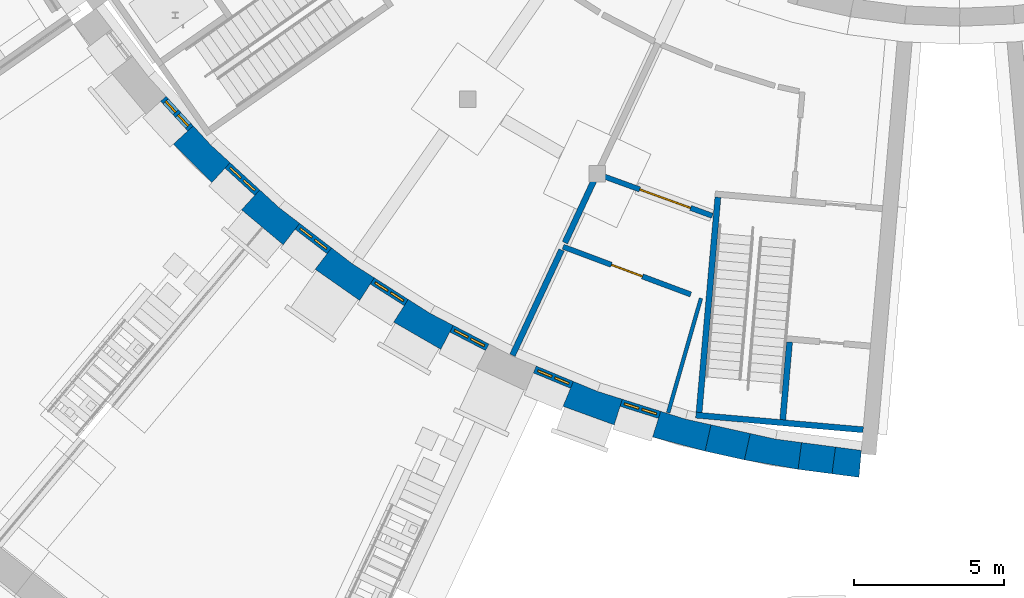
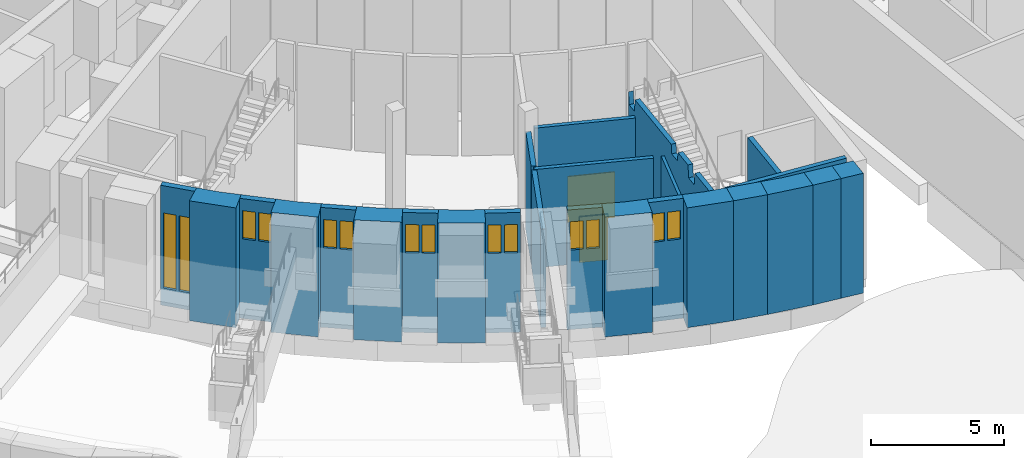
# One storey, part 36 of 65: 25 walls, 14 windows, 2 doors, 16 openings.
"""IFC4 building model written with IfcOpenShell, lengths in metres."""

from ifc_helpers import new_model, si_unit, direction, frame, frame_2d, origin, place, context, subcontext, project, spatial, polyline, rectangle, outline, extrude, material, layer, layer_set, type_object, element, fill, save


model = new_model("IFC4")

# Units and contexts
model_context = context("Model", 3, precision=1e-05, world=origin(), true_north=direction((0.0, 1.0)))
body_context = subcontext(model_context, "Body", "Model", "MODEL_VIEW")
ifc_project = project(units=[si_unit("LENGTHUNIT", "METRE"), si_unit("AREAUNIT", "SQUARE_METRE"), si_unit("VOLUMEUNIT", "CUBIC_METRE"), si_unit("PLANEANGLEUNIT", "RADIAN"), si_unit("MASSUNIT", "GRAM", prefix="KILO")], contexts=[model_context])

# Site, building, storey
site_placement = place(None, origin())
site = spatial("IfcSite", under=ifc_project, at=site_placement, CompositionType="ELEMENT")
building_placement = place(site_placement, origin())
building = spatial("IfcBuilding", under=site, at=building_placement, Name="Volute Hill Aquarium", CompositionType="ELEMENT")
storey_placement = place(building_placement, frame((0.0, 0.0, -5.5)))
storey = spatial("IfcBuildingStorey", under=building, at=storey_placement, Name="L00", CompositionType="ELEMENT", Elevation=-5.5)

# Walls
ifc_material_1 = material(Name="Concrete C30/37", Category="concrete")
ifc_layer_1 = layer(ifc_material_1, 0.199951171875)
ifc_layer_set_1 = layer_set([ifc_layer_1], Name="Core wall 200 REI 60")
wall_type_1 = type_object("IfcWallType", Name="Core wall 200 REI 60", PredefinedType="SHEAR", material=ifc_layer_set_1)
wall_1_placement = place(storey_placement, frame((-8.0576171875, -26.69921875, 0.0), z_axis=(0.0, 0.0, 1.0), x_axis=(-0.087178307383, -0.996192723684, 0.0)))
element("IfcWall", 1, at=wall_1_placement, inside=storey, type_object=wall_type_1, Name="wc/S2-B/L00/side", PredefinedType="SHEAR", context=body_context, shape_type="SweptSolid", body=[
    extrude(outline(polyline([(0.0, 0.0), (7.199951171875, 0.0), (7.199951171875, 5.25), (5.893310546875, 5.25), (5.84326171875, 4.68994140625), (5.34326171875, 4.68994140625), (5.293212890625, 5.25), (4.397216796875, 5.25), (4.34716796875, 4.840087890625), (3.84716796875, 4.840087890625), (3.797119140625, 5.25), (0.577392578125, 5.25), (0.52734375, 4.68994140625), (0.050048828125, 4.68994140625), (0.0, 5.25), (0.0, 0.0)])), frame((0.0, 0.10009765625, 0.0), z_axis=(0.0, -1.0, 0.0), x_axis=(1.0, 0.0, 0.0)), (0.0, 0.0, 1.0), 0.199951171875),
])
wall_2_placement = place(storey_placement, frame((-3.21484375, -34.450927734375, 0.0), z_axis=(0.0, 0.0, 1.0), x_axis=(-0.996195137027, 0.087150725554, 0.0)))
element("IfcWall", 2, at=wall_2_placement, inside=storey, type_object=wall_type_1, Name="wc/S2-B/L00/out", PredefinedType="SHEAR", context=body_context, shape_type="SweptSolid", body=[
    extrude(outline(polyline([(0.0, 0.0), (5.599853515625, 0.0), (5.60009765625, 5.25), (5.564697265625, 5.25), (5.5146484375, 4.739990234375), (5.0146484375, 4.739990234375), (4.964599609375, 5.25), (0.0, 5.25), (0.0, 0.0)])), frame((0.0, 0.10009765625, 0.0), z_axis=(0.0, -1.0, 0.0), x_axis=(1.0, 0.0, 0.0)), (0.0, 0.0, 1.0), 0.199951171875),
])

# Wall, opening, door
ifc_material_2 = material(Name="Gypsum board on steel studs", Category="steel")
ifc_layer_2 = layer(ifc_material_2, 0.175048828125)
ifc_layer_set_2 = layer_set([ifc_layer_2], Name="Corridor partition 175 EI 60")
wall_type_2 = type_object("IfcWallType", Name="Corridor partition 175 EI 60", PredefinedType="PARTITIONING", material=ifc_layer_set_2)
wall_3_placement = place(storey_placement, frame((-13.219482421875, -28.349365234375, 0.0), z_axis=(0.0, 0.0, 1.0), x_axis=(0.936679715981, -0.35018724944, 0.0)))
wall_3 = element("IfcWall", 3, at=wall_3_placement, inside=storey, type_object=wall_type_2, Name="pw/S2/L00/002", PredefinedType="PARTITIONING", context=body_context, shape_type="SweptSolid", body=[
    extrude(rectangle(XDim=4.544921875, YDim=0.175048828125, at=frame_2d((2.2724609375, 0.0))), origin(), (0.0, 0.0, 1.0), 4.52001953125),
])
opening_1_placement = place(wall_3_placement, frame((1.722412109375, 0.0, 0.0)))
opening_1 = element("IfcOpeningElement", 4, at=opening_1_placement, cuts=wall_3, Name="Opening D2.00.04", PredefinedType="OPENING", context=body_context, shape_type="SweptSolid", body=[
    extrude(rectangle(XDim=1.10009765625, YDim=2.10009765625, at=frame_2d((0.550048828125, 1.050048828125))), frame((0.0, 0.097412109375, 0.0), z_axis=(0.0, -1.0, 0.0), x_axis=(1.0, 0.0, 0.0)), (0.0, 0.0, 1.0), 0.195068359375),
])
ifc_material_3 = material(Name="Timber, fire-rated", Category="wood")
door_type_1 = type_object("IfcDoorType", Name="Door 1100 x 2100 accessible WC EI1 30", OperationType="SINGLE_SWING_LEFT", PredefinedType="DOOR", material=ifc_material_3)
door_1_placement = place(opening_1_placement, origin())
door_1 = element("IfcDoor", 5, at=door_1_placement, inside=storey, type_object=door_type_1, Name="d/S2/L00/04", OperationType="SINGLE_SWING_RIGHT", OverallHeight=2.10009765625, OverallWidth=1.10009765625, PredefinedType="DOOR", context=body_context, shape_type="SweptSolid", body=[
    extrude(rectangle(XDim=1.10009765625, YDim=2.10009765625, at=frame_2d((0.550048828125, 1.050048828125))), frame((0.0, 0.02490234375, 0.0), z_axis=(0.0, -1.0, 0.0), x_axis=(1.0, 0.0, 0.0)), (0.0, 0.0, 1.0), 0.050048828125),
])
fill(opening_1, door_1)

wall_4_placement = place(storey_placement, frame((-8.242431640625, -27.319580078125, 0.0), z_axis=(0.0, 0.0, 1.0), x_axis=(-0.939702700152, 0.341992449226, 0.0)))
wall_4 = element("IfcWall", 6, at=wall_4_placement, inside=storey, type_object=wall_type_2, Name="pw/S2/L00/005", PredefinedType="PARTITIONING", context=body_context, shape_type="SweptSolid", body=[
    extrude(rectangle(XDim=3.851318359375, YDim=0.175048828125, at=frame_2d((1.92578125, 0.0))), origin(), (0.0, 0.0, 1.0), 4.52001953125),
])
opening_2_placement = place(wall_4_placement, frame((0.77587890625, 0.0, 0.0)))
opening_2 = element("IfcOpeningElement", 7, at=opening_2_placement, cuts=wall_4, Name="Opening D2.00.03", PredefinedType="OPENING", context=body_context, shape_type="SweptSolid", body=[
    extrude(rectangle(XDim=1.800048828125, YDim=2.10009765625, at=frame_2d((0.89990234375, 1.050048828125))), frame((0.0, 0.097412109375, 0.0), z_axis=(0.0, -1.0, 0.0), x_axis=(1.0, 0.0, 0.0)), (0.0, 0.0, 1.0), 0.195068359375),
])
ifc_material_4 = material(Name="Timber, fire-rated", Category="wood")
door_type_2 = type_object("IfcDoorType", Name="Door 1800 x 2100 corridor double EI1 30", OperationType="DOUBLE_DOOR_SINGLE_SWING", PredefinedType="DOOR", material=ifc_material_4)
door_2_placement = place(opening_2_placement, origin())
door_2 = element("IfcDoor", 8, at=door_2_placement, inside=storey, type_object=door_type_2, Name="d/S2/L00/03", OperationType="SINGLE_SWING_LEFT", OverallHeight=2.10009765625, OverallWidth=1.800048828125, PredefinedType="DOOR", context=body_context, shape_type="SweptSolid", body=[
    extrude(rectangle(XDim=1.800048828125, YDim=2.10009765625, at=frame_2d((0.89990234375, 1.050048828125))), frame((0.0, 0.02490234375, 0.0), z_axis=(0.0, -1.0, 0.0), x_axis=(1.0, 0.0, 0.0)), (0.0, 0.0, 1.0), 0.050048828125),
])
fill(opening_2, door_2)

# Walls
ifc_material_5 = material(Name="Masonry blockwork", Category="masonry")
ifc_layer_3 = layer(ifc_material_5, 0.199951171875)
ifc_layer_set_3 = layer_set([ifc_layer_3], Name="Fire partition 200 EI 60")
wall_type_3 = type_object("IfcWallType", Name="Fire partition 200 EI 60", PredefinedType="PARTITIONING", material=ifc_layer_set_3)
wall_5_placement = place(storey_placement, frame((-13.26904296875, -28.455810546875, 0.0), z_axis=(0.0, 0.0, 1.0), x_axis=(-0.422636960722, -0.906299067324, 0.0)))
element("IfcWall", 9, at=wall_5_placement, inside=storey, type_object=wall_type_3, Name="pw/S2/L00/003", PredefinedType="PARTITIONING", context=body_context, shape_type="SweptSolid", body=[
    extrude(rectangle(XDim=3.87255859375, YDim=0.199951171875, at=frame_2d((1.936279296875, 0.0))), origin(), (0.0, 0.0, 1.0), 4.52001953125),
])
wall_6_placement = place(storey_placement, frame((-13.156005859375, -28.21337890625, 0.0), z_axis=(0.0, 0.0, 1.0), x_axis=(0.422570302479, 0.906330149263, 0.0)))
element("IfcWall", 10, at=wall_6_placement, inside=storey, type_object=wall_type_3, Name="pw/S2/L00/008", PredefinedType="PARTITIONING", context=body_context, shape_type="SweptSolid", body=[
    extrude(rectangle(XDim=2.290283203125, YDim=0.199951171875, at=frame_2d((1.14501953125, 0.0))), origin(), (0.0, 0.0, 1.0), 4.52001953125),
])

# Wall, openings, windows
ifc_material_6 = material(Name="Concrete C30/37", Category="concrete")
ifc_layer_4 = layer(ifc_material_6, 0.25)
ifc_layer_set_4 = layer_set([ifc_layer_4], Name="Niche back wall full height 250")
wall_type_4 = type_object("IfcWallType", Name="Niche back wall full height 250", PredefinedType="NOTDEFINED", material=ifc_layer_set_4)
wall_7_placement = place(storey_placement, frame((-25.639892578125, -24.404296875, 0.0), z_axis=(0.0, 0.0, 1.0), x_axis=(-0.675576229389, 0.737290145251, 0.0)))
wall_7 = element("IfcWall", 11, at=wall_7_placement, inside=storey, type_object=wall_type_4, Name="Niche back wall OWN S2 L00 2", PredefinedType="NOTDEFINED", context=body_context, shape_type="SweptSolid", body=[
    extrude(rectangle(XDim=1.341064453125, YDim=0.25, at=frame_2d((0.67041015625, 0.0))), origin(), (0.0, 0.0, 1.0), 5.5),
])
opening_3_placement = place(wall_7_placement, frame((0.72900390625, 0.0, 0.800048828125)))
opening_3 = element("IfcOpeningElement", 12, at=opening_3_placement, cuts=wall_7, Name="Opening W3", PredefinedType="OPENING", context=body_context, shape_type="SweptSolid", body=[
    extrude(rectangle(XDim=0.5, YDim=3.449951171875, at=frame_2d((0.25, 1.72509765625))), frame((0.0, 0.135009765625, 0.0), z_axis=(0.0, -1.0, 0.0), x_axis=(1.0, 0.0, 0.0)), (0.0, 0.0, 1.0), 0.27001953125),
])
opening_4_placement = place(wall_7_placement, frame((0.112060546875, 0.0, 0.800048828125)))
opening_4 = element("IfcOpeningElement", 13, at=opening_4_placement, cuts=wall_7, Name="Opening W3", PredefinedType="OPENING", context=body_context, shape_type="SweptSolid", body=[
    extrude(rectangle(XDim=0.5, YDim=3.449951171875, at=frame_2d((0.25, 1.72509765625))), frame((0.0, 0.135009765625, 0.0), z_axis=(0.0, -1.0, 0.0), x_axis=(1.0, 0.0, 0.0)), (0.0, 0.0, 1.0), 0.27001953125),
])
ifc_material_7 = material(Name="Aluminium and glass", Category="aluminium")
window_type_1 = type_object("IfcWindowType", Name="Slit window 500x3450", PartitioningType="SINGLE_PANEL", PredefinedType="WINDOW", material=ifc_material_7)
window_1_placement = place(opening_3_placement, origin())
window_1 = element("IfcWindow", 14, at=window_1_placement, inside=storey, type_object=window_type_1, Name="Slit window S2 L00 2.1.1", OverallHeight=3.449951171875, OverallWidth=0.5, PartitioningType="SINGLE_PANEL", PredefinedType="WINDOW", context=body_context, shape_type="SweptSolid", body=[
    extrude(rectangle(XDim=0.5, YDim=3.449951171875, at=frame_2d((0.25, 1.72509765625))), frame((0.0, 0.030029296875, 0.0), z_axis=(0.0, -1.0, 0.0), x_axis=(1.0, 0.0, 0.0)), (0.0, 0.0, 1.0), 0.06005859375),
])
fill(opening_3, window_1)
window_2_placement = place(opening_4_placement, origin())
window_2 = element("IfcWindow", 15, at=window_2_placement, inside=storey, type_object=window_type_1, Name="Slit window S2 L00 2.1.2", OverallHeight=3.449951171875, OverallWidth=0.5, PartitioningType="SINGLE_PANEL", PredefinedType="WINDOW", context=body_context, shape_type="SweptSolid", body=[
    extrude(rectangle(XDim=0.5, YDim=3.449951171875, at=frame_2d((0.25, 1.72509765625))), frame((0.0, 0.030029296875, 0.0), z_axis=(0.0, -1.0, 0.0), x_axis=(1.0, 0.0, 0.0)), (0.0, 0.0, 1.0), 0.06005859375),
])
fill(opening_4, window_2)

wall_8_placement = place(storey_placement, frame((-23.41552734375, -26.5458984375, 0.0), z_axis=(0.0, 0.0, 1.0), x_axis=(-0.737290145251, 0.675576229389, 0.0)))
wall_8 = element("IfcWall", 16, at=wall_8_placement, inside=storey, type_object=wall_type_4, Name="Niche back wall OWN S2 L00 3", PredefinedType="NOTDEFINED", context=body_context, shape_type="SweptSolid", body=[
    extrude(rectangle(XDim=1.341064453125, YDim=0.25, at=frame_2d((0.67041015625, 0.0))), origin(), (0.0, 0.0, 1.0), 5.5),
])
opening_5_placement = place(wall_8_placement, frame((0.72900390625, 0.0, 3.64990234375)))
opening_5 = element("IfcOpeningElement", 17, at=opening_5_placement, cuts=wall_8, Name="Opening W4", PredefinedType="OPENING", context=body_context, shape_type="SweptSolid", body=[
    extrude(rectangle(XDim=0.5, YDim=1.300048828125, at=frame_2d((0.25, 0.64990234375))), frame((0.0, 0.135009765625, 0.0), z_axis=(0.0, -1.0, 0.0), x_axis=(1.0, 0.0, 0.0)), (0.0, 0.0, 1.0), 0.27001953125),
])
opening_6_placement = place(wall_8_placement, frame((0.112060546875, 0.0, 3.64990234375)))
opening_6 = element("IfcOpeningElement", 18, at=opening_6_placement, cuts=wall_8, Name="Opening W4", PredefinedType="OPENING", context=body_context, shape_type="SweptSolid", body=[
    extrude(rectangle(XDim=0.5, YDim=1.300048828125, at=frame_2d((0.25, 0.64990234375))), frame((0.0, 0.135009765625, 0.0), z_axis=(0.0, -1.0, 0.0), x_axis=(1.0, 0.0, 0.0)), (0.0, 0.0, 1.0), 0.27001953125),
])
ifc_material_8 = material(Name="Aluminium and glass", Category="aluminium")
window_type_2 = type_object("IfcWindowType", Name="Slit window 500x1300", PartitioningType="SINGLE_PANEL", PredefinedType="WINDOW", material=ifc_material_8)
window_3_placement = place(opening_5_placement, origin())
window_3 = element("IfcWindow", 19, at=window_3_placement, inside=storey, type_object=window_type_2, Name="Slit window S2 L00 3.1.1", OverallHeight=1.300048828125, OverallWidth=0.5, PartitioningType="SINGLE_PANEL", PredefinedType="WINDOW", context=body_context, shape_type="SweptSolid", body=[
    extrude(rectangle(XDim=0.5, YDim=1.300048828125, at=frame_2d((0.25, 0.64990234375))), frame((0.0, 0.030029296875, 0.0), z_axis=(0.0, -1.0, 0.0), x_axis=(1.0, 0.0, 0.0)), (0.0, 0.0, 1.0), 0.06005859375),
])
fill(opening_5, window_3)
window_4_placement = place(opening_6_placement, origin())
window_4 = element("IfcWindow", 20, at=window_4_placement, inside=storey, type_object=window_type_2, Name="Slit window S2 L00 3.1.2", OverallHeight=1.300048828125, OverallWidth=0.5, PartitioningType="SINGLE_PANEL", PredefinedType="WINDOW", context=body_context, shape_type="SweptSolid", body=[
    extrude(rectangle(XDim=0.5, YDim=1.300048828125, at=frame_2d((0.25, 0.64990234375))), frame((0.0, 0.030029296875, 0.0), z_axis=(0.0, -1.0, 0.0), x_axis=(1.0, 0.0, 0.0)), (0.0, 0.0, 1.0), 0.06005859375),
])
fill(opening_6, window_4)

wall_9_placement = place(storey_placement, frame((-21.0126953125, -28.48583984375, 0.0), z_axis=(0.0, 0.0, 1.0), x_axis=(-0.793354308621, 0.608760167055, 0.0)))
wall_9 = element("IfcWall", 21, at=wall_9_placement, inside=storey, type_object=wall_type_4, Name="Niche back wall OWN S2 L00 4", PredefinedType="NOTDEFINED", context=body_context, shape_type="SweptSolid", body=[
    extrude(rectangle(XDim=1.341064453125, YDim=0.25, at=frame_2d((0.67041015625, 0.0))), origin(), (0.0, 0.0, 1.0), 5.5),
])
opening_7_placement = place(wall_9_placement, frame((0.72900390625, 0.0, 3.64990234375)))
opening_7 = element("IfcOpeningElement", 22, at=opening_7_placement, cuts=wall_9, Name="Opening W4", PredefinedType="OPENING", context=body_context, shape_type="SweptSolid", body=[
    extrude(rectangle(XDim=0.5, YDim=1.300048828125, at=frame_2d((0.25, 0.64990234375))), frame((0.0, 0.135009765625, 0.0), z_axis=(0.0, -1.0, 0.0), x_axis=(1.0, 0.0, 0.0)), (0.0, 0.0, 1.0), 0.27001953125),
])
opening_8_placement = place(wall_9_placement, frame((0.112060546875, 0.0, 3.64990234375)))
opening_8 = element("IfcOpeningElement", 23, at=opening_8_placement, cuts=wall_9, Name="Opening W4", PredefinedType="OPENING", context=body_context, shape_type="SweptSolid", body=[
    extrude(rectangle(XDim=0.5, YDim=1.300048828125, at=frame_2d((0.25, 0.64990234375))), frame((0.0, 0.135009765625, 0.0), z_axis=(0.0, -1.0, 0.0), x_axis=(1.0, 0.0, 0.0)), (0.0, 0.0, 1.0), 0.27001953125),
])
window_5_placement = place(opening_7_placement, origin())
window_5 = element("IfcWindow", 24, at=window_5_placement, inside=storey, type_object=window_type_2, Name="Slit window S2 L00 4.1.1", OverallHeight=1.300048828125, OverallWidth=0.5, PartitioningType="SINGLE_PANEL", PredefinedType="WINDOW", context=body_context, shape_type="SweptSolid", body=[
    extrude(rectangle(XDim=0.5, YDim=1.300048828125, at=frame_2d((0.25, 0.64990234375))), frame((0.0, 0.030029296875, 0.0), z_axis=(0.0, -1.0, 0.0), x_axis=(1.0, 0.0, 0.0)), (0.0, 0.0, 1.0), 0.06005859375),
])
fill(opening_7, window_5)
window_6_placement = place(opening_8_placement, origin())
window_6 = element("IfcWindow", 25, at=window_6_placement, inside=storey, type_object=window_type_2, Name="Slit window S2 L00 4.1.2", OverallHeight=1.300048828125, OverallWidth=0.5, PartitioningType="SINGLE_PANEL", PredefinedType="WINDOW", context=body_context, shape_type="SweptSolid", body=[
    extrude(rectangle(XDim=0.5, YDim=1.300048828125, at=frame_2d((0.25, 0.64990234375))), frame((0.0, 0.030029296875, 0.0), z_axis=(0.0, -1.0, 0.0), x_axis=(1.0, 0.0, 0.0)), (0.0, 0.0, 1.0), 0.06005859375),
])
fill(opening_8, window_6)

wall_10_placement = place(storey_placement, frame((-18.449951171875, -30.208740234375, 0.0), z_axis=(0.0, 0.0, 1.0), x_axis=(-0.843436528723, 0.5372288358, 0.0)))
wall_10 = element("IfcWall", 26, at=wall_10_placement, inside=storey, type_object=wall_type_4, Name="Niche back wall OWN S2 L00 5", PredefinedType="NOTDEFINED", context=body_context, shape_type="SweptSolid", body=[
    extrude(rectangle(XDim=1.341064453125, YDim=0.25, at=frame_2d((0.67041015625, 0.0))), origin(), (0.0, 0.0, 1.0), 5.5),
])
opening_9_placement = place(wall_10_placement, frame((0.72900390625, 0.0, 3.64990234375)))
opening_9 = element("IfcOpeningElement", 27, at=opening_9_placement, cuts=wall_10, Name="Opening W4", PredefinedType="OPENING", context=body_context, shape_type="SweptSolid", body=[
    extrude(rectangle(XDim=0.5, YDim=1.300048828125, at=frame_2d((0.25, 0.64990234375))), frame((0.0, 0.135009765625, 0.0), z_axis=(0.0, -1.0, 0.0), x_axis=(1.0, 0.0, 0.0)), (0.0, 0.0, 1.0), 0.27001953125),
])
opening_10_placement = place(wall_10_placement, frame((0.112060546875, 0.0, 3.64990234375)))
opening_10 = element("IfcOpeningElement", 28, at=opening_10_placement, cuts=wall_10, Name="Opening W4", PredefinedType="OPENING", context=body_context, shape_type="SweptSolid", body=[
    extrude(rectangle(XDim=0.5, YDim=1.300048828125, at=frame_2d((0.25, 0.64990234375))), frame((0.0, 0.135009765625, 0.0), z_axis=(0.0, -1.0, 0.0), x_axis=(1.0, 0.0, 0.0)), (0.0, 0.0, 1.0), 0.27001953125),
])
window_7_placement = place(opening_9_placement, origin())
window_7 = element("IfcWindow", 29, at=window_7_placement, inside=storey, type_object=window_type_2, Name="Slit window S2 L00 5.1.1", OverallHeight=1.300048828125, OverallWidth=0.5, PartitioningType="SINGLE_PANEL", PredefinedType="WINDOW", context=body_context, shape_type="SweptSolid", body=[
    extrude(rectangle(XDim=0.5, YDim=1.300048828125, at=frame_2d((0.25, 0.64990234375))), frame((0.0, 0.030029296875, 0.0), z_axis=(0.0, -1.0, 0.0), x_axis=(1.0, 0.0, 0.0)), (0.0, 0.0, 1.0), 0.06005859375),
])
fill(opening_9, window_7)
window_8_placement = place(opening_10_placement, origin())
window_8 = element("IfcWindow", 30, at=window_8_placement, inside=storey, type_object=window_type_2, Name="Slit window S2 L00 5.1.2", OverallHeight=1.300048828125, OverallWidth=0.5, PartitioningType="SINGLE_PANEL", PredefinedType="WINDOW", context=body_context, shape_type="SweptSolid", body=[
    extrude(rectangle(XDim=0.5, YDim=1.300048828125, at=frame_2d((0.25, 0.64990234375))), frame((0.0, 0.030029296875, 0.0), z_axis=(0.0, -1.0, 0.0), x_axis=(1.0, 0.0, 0.0)), (0.0, 0.0, 1.0), 0.06005859375),
])
fill(opening_10, window_8)

wall_11_placement = place(storey_placement, frame((-15.7470703125, -31.701904296875, 0.0), z_axis=(0.0, 0.0, 1.0), x_axis=(-0.886951374027, 0.461862815252, 0.0)))
wall_11 = element("IfcWall", 31, at=wall_11_placement, inside=storey, type_object=wall_type_4, Name="Niche back wall OWN S2 L00 6", PredefinedType="NOTDEFINED", context=body_context, shape_type="SweptSolid", body=[
    extrude(rectangle(XDim=1.341064453125, YDim=0.25, at=frame_2d((0.67041015625, 0.0))), origin(), (0.0, 0.0, 1.0), 5.5),
])
opening_11_placement = place(wall_11_placement, frame((0.72900390625, 0.0, 3.64990234375)))
opening_11 = element("IfcOpeningElement", 32, at=opening_11_placement, cuts=wall_11, Name="Opening W4", PredefinedType="OPENING", context=body_context, shape_type="SweptSolid", body=[
    extrude(rectangle(XDim=0.5, YDim=1.300048828125, at=frame_2d((0.25, 0.64990234375))), frame((0.0, 0.135009765625, 0.0), z_axis=(0.0, -1.0, 0.0), x_axis=(1.0, 0.0, 0.0)), (0.0, 0.0, 1.0), 0.27001953125),
])
opening_12_placement = place(wall_11_placement, frame((0.112060546875, 0.0, 3.64990234375)))
opening_12 = element("IfcOpeningElement", 33, at=opening_12_placement, cuts=wall_11, Name="Opening W4", PredefinedType="OPENING", context=body_context, shape_type="SweptSolid", body=[
    extrude(rectangle(XDim=0.5, YDim=1.300048828125, at=frame_2d((0.25, 0.64990234375))), frame((0.0, 0.135009765625, 0.0), z_axis=(0.0, -1.0, 0.0), x_axis=(1.0, 0.0, 0.0)), (0.0, 0.0, 1.0), 0.27001953125),
])
window_9_placement = place(opening_11_placement, origin())
window_9 = element("IfcWindow", 34, at=window_9_placement, inside=storey, type_object=window_type_2, Name="Slit window S2 L00 6.1.1", OverallHeight=1.300048828125, OverallWidth=0.5, PartitioningType="SINGLE_PANEL", PredefinedType="WINDOW", context=body_context, shape_type="SweptSolid", body=[
    extrude(rectangle(XDim=0.5, YDim=1.300048828125, at=frame_2d((0.25, 0.64990234375))), frame((0.0, 0.030029296875, 0.0), z_axis=(0.0, -1.0, 0.0), x_axis=(1.0, 0.0, 0.0)), (0.0, 0.0, 1.0), 0.06005859375),
])
fill(opening_11, window_9)
window_10_placement = place(opening_12_placement, origin())
window_10 = element("IfcWindow", 35, at=window_10_placement, inside=storey, type_object=window_type_2, Name="Slit window S2 L00 6.1.2", OverallHeight=1.300048828125, OverallWidth=0.5, PartitioningType="SINGLE_PANEL", PredefinedType="WINDOW", context=body_context, shape_type="SweptSolid", body=[
    extrude(rectangle(XDim=0.5, YDim=1.300048828125, at=frame_2d((0.25, 0.64990234375))), frame((0.0, 0.030029296875, 0.0), z_axis=(0.0, -1.0, 0.0), x_axis=(1.0, 0.0, 0.0)), (0.0, 0.0, 1.0), 0.06005859375),
])
fill(opening_12, window_10)

wall_12_placement = place(storey_placement, frame((-12.924072265625, -32.95361328125, 0.0), z_axis=(0.0, 0.0, 1.0), x_axis=(-0.923888145957, 0.382662637005, 0.0)))
wall_12 = element("IfcWall", 36, at=wall_12_placement, inside=storey, type_object=wall_type_4, Name="Niche back wall OWN S2 L00 7", PredefinedType="NOTDEFINED", context=body_context, shape_type="SweptSolid", body=[
    extrude(rectangle(XDim=1.341064453125, YDim=0.25, at=frame_2d((0.67041015625, 0.0))), origin(), (0.0, 0.0, 1.0), 5.5),
])
opening_13_placement = place(wall_12_placement, frame((0.72900390625, 0.0, 3.64990234375)))
opening_13 = element("IfcOpeningElement", 37, at=opening_13_placement, cuts=wall_12, Name="Opening W4", PredefinedType="OPENING", context=body_context, shape_type="SweptSolid", body=[
    extrude(rectangle(XDim=0.5, YDim=1.300048828125, at=frame_2d((0.25, 0.64990234375))), frame((0.0, 0.135009765625, 0.0), z_axis=(0.0, -1.0, 0.0), x_axis=(1.0, 0.0, 0.0)), (0.0, 0.0, 1.0), 0.27001953125),
])
opening_14_placement = place(wall_12_placement, frame((0.112060546875, 0.0, 3.64990234375)))
opening_14 = element("IfcOpeningElement", 38, at=opening_14_placement, cuts=wall_12, Name="Opening W4", PredefinedType="OPENING", context=body_context, shape_type="SweptSolid", body=[
    extrude(rectangle(XDim=0.5, YDim=1.300048828125, at=frame_2d((0.25, 0.64990234375))), frame((0.0, 0.135009765625, 0.0), z_axis=(0.0, -1.0, 0.0), x_axis=(1.0, 0.0, 0.0)), (0.0, 0.0, 1.0), 0.27001953125),
])
window_11_placement = place(opening_13_placement, origin())
window_11 = element("IfcWindow", 39, at=window_11_placement, inside=storey, type_object=window_type_2, Name="Slit window S2 L00 7.1.1", OverallHeight=1.300048828125, OverallWidth=0.5, PartitioningType="SINGLE_PANEL", PredefinedType="WINDOW", context=body_context, shape_type="SweptSolid", body=[
    extrude(rectangle(XDim=0.5, YDim=1.300048828125, at=frame_2d((0.25, 0.64990234375))), frame((0.0, 0.030029296875, 0.0), z_axis=(0.0, -1.0, 0.0), x_axis=(1.0, 0.0, 0.0)), (0.0, 0.0, 1.0), 0.06005859375),
])
fill(opening_13, window_11)
window_12_placement = place(opening_14_placement, origin())
window_12 = element("IfcWindow", 40, at=window_12_placement, inside=storey, type_object=window_type_2, Name="Slit window S2 L00 7.1.2", OverallHeight=1.300048828125, OverallWidth=0.5, PartitioningType="SINGLE_PANEL", PredefinedType="WINDOW", context=body_context, shape_type="SweptSolid", body=[
    extrude(rectangle(XDim=0.5, YDim=1.300048828125, at=frame_2d((0.25, 0.64990234375))), frame((0.0, 0.030029296875, 0.0), z_axis=(0.0, -1.0, 0.0), x_axis=(1.0, 0.0, 0.0)), (0.0, 0.0, 1.0), 0.06005859375),
])
fill(opening_14, window_12)

wall_13_placement = place(storey_placement, frame((-10.002685546875, -33.95458984375, 0.0), z_axis=(0.0, 0.0, 1.0), x_axis=(-0.953709137905, 0.300730577556, 0.0)))
wall_13 = element("IfcWall", 41, at=wall_13_placement, inside=storey, type_object=wall_type_4, Name="Niche back wall OWN S2 L00 8", PredefinedType="NOTDEFINED", context=body_context, shape_type="SweptSolid", body=[
    extrude(rectangle(XDim=1.341064453125, YDim=0.25, at=frame_2d((0.67041015625, 0.0))), origin(), (0.0, 0.0, 1.0), 5.5),
])
opening_15_placement = place(wall_13_placement, frame((0.72900390625, 0.0, 3.64990234375)))
opening_15 = element("IfcOpeningElement", 42, at=opening_15_placement, cuts=wall_13, Name="Opening W4", PredefinedType="OPENING", context=body_context, shape_type="SweptSolid", body=[
    extrude(rectangle(XDim=0.5, YDim=1.300048828125, at=frame_2d((0.25, 0.64990234375))), frame((0.0, 0.135009765625, 0.0), z_axis=(0.0, -1.0, 0.0), x_axis=(1.0, 0.0, 0.0)), (0.0, 0.0, 1.0), 0.27001953125),
])
opening_16_placement = place(wall_13_placement, frame((0.112060546875, 0.0, 3.64990234375)))
opening_16 = element("IfcOpeningElement", 43, at=opening_16_placement, cuts=wall_13, Name="Opening W4", PredefinedType="OPENING", context=body_context, shape_type="SweptSolid", body=[
    extrude(rectangle(XDim=0.5, YDim=1.300048828125, at=frame_2d((0.25, 0.64990234375))), frame((0.0, 0.135009765625, 0.0), z_axis=(0.0, -1.0, 0.0), x_axis=(1.0, 0.0, 0.0)), (0.0, 0.0, 1.0), 0.27001953125),
])
window_13_placement = place(opening_15_placement, origin())
window_13 = element("IfcWindow", 44, at=window_13_placement, inside=storey, type_object=window_type_2, Name="Slit window S2 L00 8.1.1", OverallHeight=1.300048828125, OverallWidth=0.5, PartitioningType="SINGLE_PANEL", PredefinedType="WINDOW", context=body_context, shape_type="SweptSolid", body=[
    extrude(rectangle(XDim=0.5, YDim=1.300048828125, at=frame_2d((0.25, 0.64990234375))), frame((0.0, 0.030029296875, 0.0), z_axis=(0.0, -1.0, 0.0), x_axis=(1.0, 0.0, 0.0)), (0.0, 0.0, 1.0), 0.06005859375),
])
fill(opening_15, window_13)
window_14_placement = place(opening_16_placement, origin())
window_14 = element("IfcWindow", 45, at=window_14_placement, inside=storey, type_object=window_type_2, Name="Slit window S2 L00 8.1.2", OverallHeight=1.300048828125, OverallWidth=0.5, PartitioningType="SINGLE_PANEL", PredefinedType="WINDOW", context=body_context, shape_type="SweptSolid", body=[
    extrude(rectangle(XDim=0.5, YDim=1.300048828125, at=frame_2d((0.25, 0.64990234375))), frame((0.0, 0.030029296875, 0.0), z_axis=(0.0, -1.0, 0.0), x_axis=(1.0, 0.0, 0.0)), (0.0, 0.0, 1.0), 0.06005859375),
])
fill(opening_16, window_14)

# Walls
ifc_material_9 = material(Name="Precast concrete C40/50", Category="concrete")
ifc_layer_5 = layer(ifc_material_9, 0.89990234375)
ifc_layer_set_5 = layer_set([ifc_layer_5], Name="Outer pier precast concrete C40/50 900")
wall_type_5 = type_object("IfcWallType", Name="Outer pier precast concrete C40/50 900", PredefinedType="NOTDEFINED", material=ifc_layer_set_5)
wall_14_placement = place(storey_placement, origin())
element("IfcWall", 46, at=wall_14_placement, inside=storey, type_object=wall_type_5, Name="Outer pier OWP S2 L00 3", PredefinedType="NOTDEFINED", context=body_context, shape_type="SweptSolid", body=[
    extrude(outline(polyline([(-25.5478515625, -24.31982421875), (-26.21142578125, -24.927734375), (-24.927734375, -26.21142578125), (-24.31982421875, -25.5478515625), (-24.960693359375, -24.960693359375), (-25.5478515625, -24.31982421875)])), origin(), (0.0, 0.0, 1.0), 5.5),
])
wall_15_placement = place(storey_placement, origin())
element("IfcWall", 47, at=wall_15_placement, inside=storey, type_object=wall_type_5, Name="Outer pier OWP S2 L00 4", PredefinedType="NOTDEFINED", context=body_context, shape_type="SweptSolid", body=[
    extrude(outline(polyline([(-23.3310546875, -26.453857421875), (-23.93896484375, -27.117431640625), (-22.548583984375, -28.2841796875), (-22.00048828125, -27.570068359375), (-22.690185546875, -27.041015625), (-23.3310546875, -26.453857421875)])), origin(), (0.0, 0.0, 1.0), 5.5),
])
wall_16_placement = place(storey_placement, origin())
element("IfcWall", 48, at=wall_16_placement, inside=storey, type_object=wall_type_5, Name="Outer pier OWP S2 L00 5", PredefinedType="NOTDEFINED", context=body_context, shape_type="SweptSolid", body=[
    extrude(outline(polyline([(-20.9365234375, -28.386474609375), (-21.484619140625, -29.1005859375), (-19.99755859375, -30.141845703125), (-19.513916015625, -29.3828125), (-20.2470703125, -28.915771484375), (-20.9365234375, -28.386474609375)])), origin(), (0.0, 0.0, 1.0), 5.5),
])
wall_17_placement = place(storey_placement, origin())
element("IfcWall", 49, at=wall_17_placement, inside=storey, type_object=wall_type_5, Name="Outer pier OWP S2 L00 6", PredefinedType="NOTDEFINED", context=body_context, shape_type="SweptSolid", body=[
    extrude(outline(polyline([(-18.3828125, -30.103271484375), (-18.866455078125, -30.8623046875), (-17.29443359375, -31.77001953125), (-16.87890625, -30.9716796875), (-17.64990234375, -30.5703125), (-18.3828125, -30.103271484375)])), origin(), (0.0, 0.0, 1.0), 5.5),
])
wall_18_placement = place(storey_placement, origin())
element("IfcWall", 50, at=wall_18_placement, inside=storey, type_object=wall_type_5, Name="Outer pier OWP S2 L00 8", PredefinedType="NOTDEFINED", context=body_context, shape_type="SweptSolid", body=[
    extrude(outline(polyline([(-12.876220703125, -32.838134765625), (-13.220703125, -33.669677734375), (-11.514892578125, -34.29052734375), (-11.244140625, -33.43212890625), (-12.0732421875, -33.170654296875), (-12.876220703125, -32.838134765625)])), origin(), (0.0, 0.0, 1.0), 5.5),
])
wall_19_placement = place(storey_placement, origin())
element("IfcWall", 51, at=wall_19_placement, inside=storey, type_object=wall_type_5, Name="Outer pier OWP S2 L00 9", PredefinedType="NOTDEFINED", context=body_context, shape_type="SweptSolid", body=[
    extrude(outline(polyline([(-9.965087890625, -33.83544921875), (-10.23583984375, -34.69384765625), (-8.482421875, -35.16357421875), (-8.28759765625, -34.284912109375), (-9.13623046875, -34.0966796875), (-9.965087890625, -33.83544921875)])), origin(), (0.0, 0.0, 1.0), 5.5),
])
wall_20_placement = place(storey_placement, origin())
element("IfcWall", 52, at=wall_20_placement, inside=storey, type_object=wall_type_5, Name="Outer pier OWP S2 L00 10", PredefinedType="NOTDEFINED", context=body_context, shape_type="SweptSolid", body=[
    extrude(outline(polyline([(-6.978271484375, -34.5751953125), (-7.173095703125, -35.453857421875), (-5.385498046875, -35.76904296875), (-5.267822265625, -34.876708984375), (-6.129638671875, -34.76318359375), (-6.978271484375, -34.5751953125)])), origin(), (0.0, 0.0, 1.0), 5.5),
])
wall_21_placement = place(storey_placement, origin())
element("IfcWall", 53, at=wall_21_placement, inside=storey, type_object=wall_type_5, Name="Outer pier OWP S2 L00 11", PredefinedType="NOTDEFINED", context=body_context, shape_type="SweptSolid", body=[
    extrude(outline(polyline([(-4.13671875, -35.025634765625), (-4.25439453125, -35.91796875), (-3.353515625, -36.03662109375), (-3.275146484375, -35.13916015625), (-4.13671875, -35.025634765625)])), origin(), (0.0, 0.0, 1.0), 5.5),
])
ifc_material_10 = material(Name="Concrete C40/50", Category="concrete")
ifc_layer_6 = layer(ifc_material_10, 0.89990234375)
ifc_layer_set_6 = layer_set([ifc_layer_6], Name="Plinth wall limestone clad 900")
wall_type_6 = type_object("IfcWallType", Name="Plinth wall limestone clad 900", PredefinedType="NOTDEFINED", material=ifc_layer_set_6)
wall_22_placement = place(storey_placement, frame((-7.07568359375, -35.014404296875, 0.0), z_axis=(0.0, 0.0, 1.0), x_axis=(-0.976294025083, 0.216448554135, 0.0)))
element("IfcWall", 54, at=wall_22_placement, inside=storey, type_object=wall_type_6, Name="Plinth wall OWL S2 L00 9", PredefinedType="NOTDEFINED", context=body_context, shape_type="SweptSolid", body=[
    extrude(rectangle(XDim=1.341064453125, YDim=0.89990234375, at=frame_2d((0.67041015625, 0.0))), origin(), (0.0, 0.0, 1.0), 5.5),
])
wall_23_placement = place(storey_placement, frame((-4.195556640625, -35.471923828125, 0.0), z_axis=(0.0, 0.0, 1.0), x_axis=(-0.991443366471, 0.130537546632, 0.0)))
element("IfcWall", 55, at=wall_23_placement, inside=storey, type_object=wall_type_6, Name="Plinth wall OWL S2 L00 10", PredefinedType="NOTDEFINED", context=body_context, shape_type="SweptSolid", body=[
    extrude(rectangle(XDim=1.140869140625, YDim=0.89990234375, at=frame_2d((0.5703125, 0.0))), origin(), (0.0, 0.0, 1.0), 5.5),
])
ifc_material_11 = material(Name="Masonry blockwork", Category="masonry")
ifc_layer_7 = layer(ifc_material_11, 0.199951171875)
ifc_layer_set_7 = layer_set([ifc_layer_7], Name="Riser wall 200 EI 60")
wall_type_7 = type_object("IfcWallType", Name="Riser wall 200 EI 60", PredefinedType="SOLIDWALL", material=ifc_layer_set_7)
wall_24_placement = place(storey_placement, frame((-5.669189453125, -31.52587890625, 0.0), z_axis=(0.0, 0.0, 1.0), x_axis=(-0.087140158824, -0.996196061386, 0.0)))
element("IfcWall", 56, at=wall_24_placement, inside=storey, type_object=wall_type_7, Name="wc/S2-B/L00/shaft-side", PredefinedType="SOLIDWALL", context=body_context, shape_type="SweptSolid", body=[
    extrude(rectangle(XDim=2.60009765625, YDim=0.199951171875, at=frame_2d((1.300048828125, 0.0))), origin(), (0.0, 0.0, 1.0), 5.25),
])
ifc_material_12 = material(Name="Gypsum board on steel studs, tiled", Category="steel")
ifc_layer_8 = layer(ifc_material_12, 0.125)
ifc_layer_set_8 = layer_set([ifc_layer_8], Name="Wet-area partition 125")
wall_type_8 = type_object("IfcWallType", Name="Wet-area partition 125", PredefinedType="PARTITIONING", material=ifc_layer_set_8)
wall_25_placement = place(storey_placement, frame((-8.621826171875, -30.068359375, 0.0), z_axis=(0.0, 0.0, 1.0), x_axis=(-0.275671653577, -0.961251860552, 0.0)))
element("IfcWall", 57, at=wall_25_placement, inside=storey, type_object=wall_type_8, Name="pw/S2/L00/004", PredefinedType="PARTITIONING", context=body_context, shape_type="SweptSolid", body=[
    extrude(rectangle(XDim=3.968505859375, YDim=0.125, at=frame_2d((1.984375, 0.0))), origin(), (0.0, 0.0, 1.0), 4.52001953125),
])

save(model, "model.ifc")
